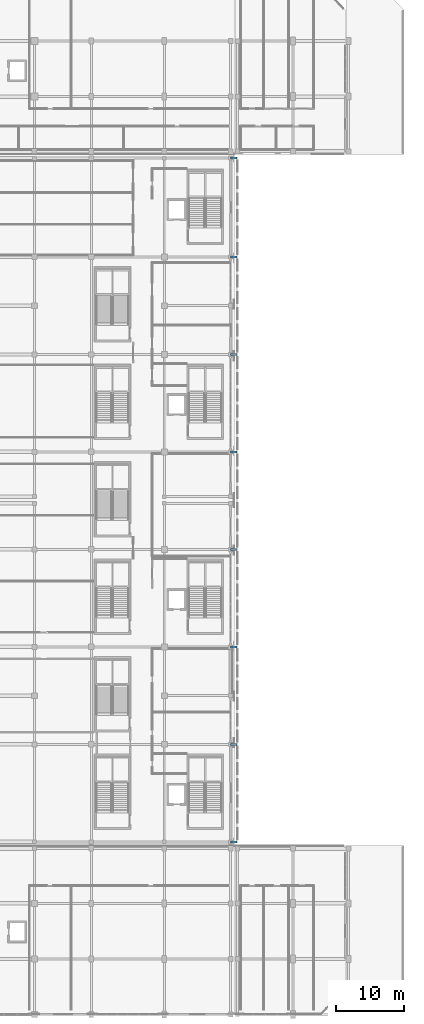
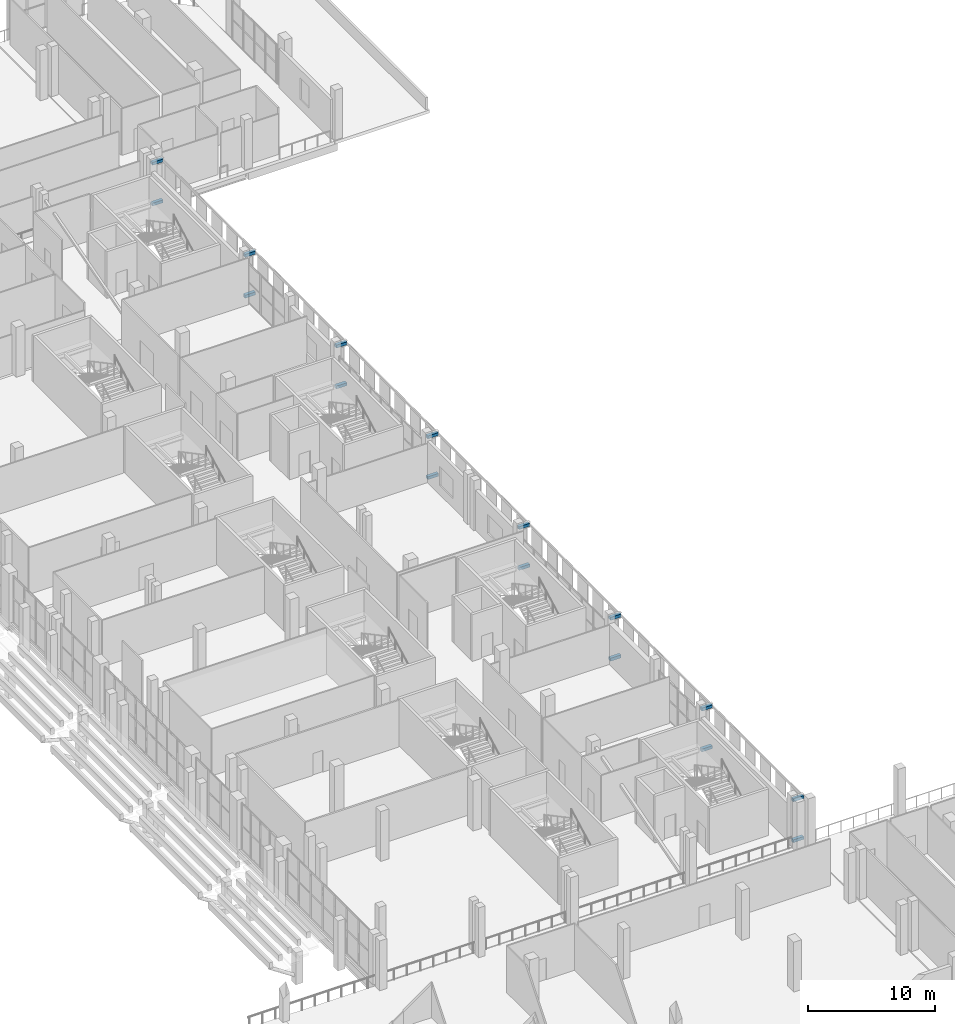
# One storey, part 109 of 142: 16 discrete accessories.
"""IFC4 building model written with IfcOpenShell, lengths in metres."""

from ifc_helpers import new_model, si_unit, direction, frame, origin, origin_2d, place, context, subcontext, project, spatial, rectangle, extrude, material, type_object, element, save


model = new_model("IFC4")

# Units and contexts
model_context = context("Model", 3, precision=1e-05, world=origin(), true_north=direction((0.0, 1.0)))
body_context = subcontext(model_context, "Body", "Model", "MODEL_VIEW")
ifc_project = project(units=[si_unit("LENGTHUNIT", "METRE"), si_unit("AREAUNIT", "SQUARE_METRE"), si_unit("VOLUMEUNIT", "CUBIC_METRE"), si_unit("PLANEANGLEUNIT", "RADIAN"), si_unit("MASSUNIT", "GRAM", prefix="KILO")], contexts=[model_context])

# Site, building, storey
site_placement = place(None, origin())
site = spatial("IfcSite", under=ifc_project, at=site_placement, CompositionType="ELEMENT")
building_placement = place(site_placement, origin())
building = spatial("IfcBuilding", under=site, at=building_placement, Name="Koshinbarg Plaza Stadium", CompositionType="ELEMENT")
storey_placement = place(building_placement, frame((0.0, 0.0, 10.199951171875)))
storey = spatial("IfcBuildingStorey", under=building, at=storey_placement, Name="L02", CompositionType="ELEMENT", Elevation=10.199951171875)

# Discrete accessories
ifc_material = material(Name="Galvanized steel facade support bracket", Category="steel")
discrete_accessory_type = type_object("IfcDiscreteAccessoryType", Name="ACC-BRACKET-01", PredefinedType="BRACKET", material=ifc_material)
for number, where, z_axis, x_axis, name in (
    (1, (218.8798828125, 25.5, 0.10986328125), (0.0, 0.0, 1.0), (1.0, 0.0, 0.0), "Outer screen support bracket E-L02-Y01"),
    (2, (218.8798828125, 25.5, 4.0400390625), (0.0, 0.0, 1.0), (1.0, 0.0, 0.0), "Outer screen support bracket E-L02-Y01"),
    (3, (218.8798828125, 39.89990234375, 0.10986328125), (0.0, 0.0, 1.0), (1.0, 0.0, 0.0), "Outer screen support bracket E-L02-Y02"),
    (4, (218.8798828125, 39.89990234375, 4.0400390625), (0.0, 0.0, 1.0), (1.0, 0.0, 0.0), "Outer screen support bracket E-L02-Y02"),
    (5, (218.8798828125, 54.300048828125, 0.10986328125), (0.0, 0.0, 1.0), (1.0, 0.0, 0.0), "Outer screen support bracket E-L02-Y03"),
    (6, (218.8798828125, 54.300048828125, 4.0400390625), (0.0, 0.0, 1.0), (1.0, 0.0, 0.0), "Outer screen support bracket E-L02-Y03"),
    (7, (218.8798828125, 68.699951171875, 0.10986328125), (0.0, 0.0, 1.0), (1.0, 0.0, 0.0), "Outer screen support bracket E-L02-Y04"),
    (8, (218.8798828125, 68.699951171875, 4.0400390625), (0.0, 0.0, 1.0), (1.0, 0.0, 0.0), "Outer screen support bracket E-L02-Y04"),
    (9, (218.8798828125, 83.10009765625, 0.10986328125), (0.0, 0.0, 1.0), (1.0, 0.0, 0.0), "Outer screen support bracket E-L02-Y05"),
    (10, (218.8798828125, 83.10009765625, 4.0400390625), (0.0, 0.0, 1.0), (1.0, 0.0, 0.0), "Outer screen support bracket E-L02-Y05"),
    (11, (218.8798828125, 97.5, 0.10986328125), (0.0, 0.0, 1.0), (1.0, 0.0, 0.0), "Outer screen support bracket E-L02-Y06"),
    (12, (218.8798828125, 97.5, 4.0400390625), (0.0, 0.0, 1.0), (1.0, 0.0, 0.0), "Outer screen support bracket E-L02-Y06"),
    (13, (218.8798828125, 111.89990234375, 0.10986328125), (0.0, 0.0, 1.0), (1.0, 0.0, 0.0), "Outer screen support bracket E-L02-Y07"),
    (14, (218.8798828125, 111.89990234375, 4.0400390625), (0.0, 0.0, 1.0), (1.0, 0.0, 0.0), "Outer screen support bracket E-L02-Y07"),
    (15, (218.8798828125, 126.5, 0.10986328125), (0.0, 0.0, 1.0), (1.0, 0.0, 0.0), "Outer screen support bracket E-L02-Y08"),
    (16, (218.8798828125, 126.5, 4.0400390625), (0.0, 0.0, 1.0), (1.0, 0.0, 0.0), "Outer screen support bracket E-L02-Y08"),
):
    element("IfcDiscreteAccessory", number, at=place(storey_placement, frame(where, z_axis=z_axis, x_axis=x_axis)), inside=storey, type_object=discrete_accessory_type, Name=name, PredefinedType="BRACKET", context=body_context, shape_type="SweptSolid", body=[
        extrude(rectangle(XDim=0.9599609375, YDim=0.300048828125, at=origin_2d()), origin(), (0.0, 0.0, 1.0), 0.280029296875),
    ])

save(model, "model.ifc")
